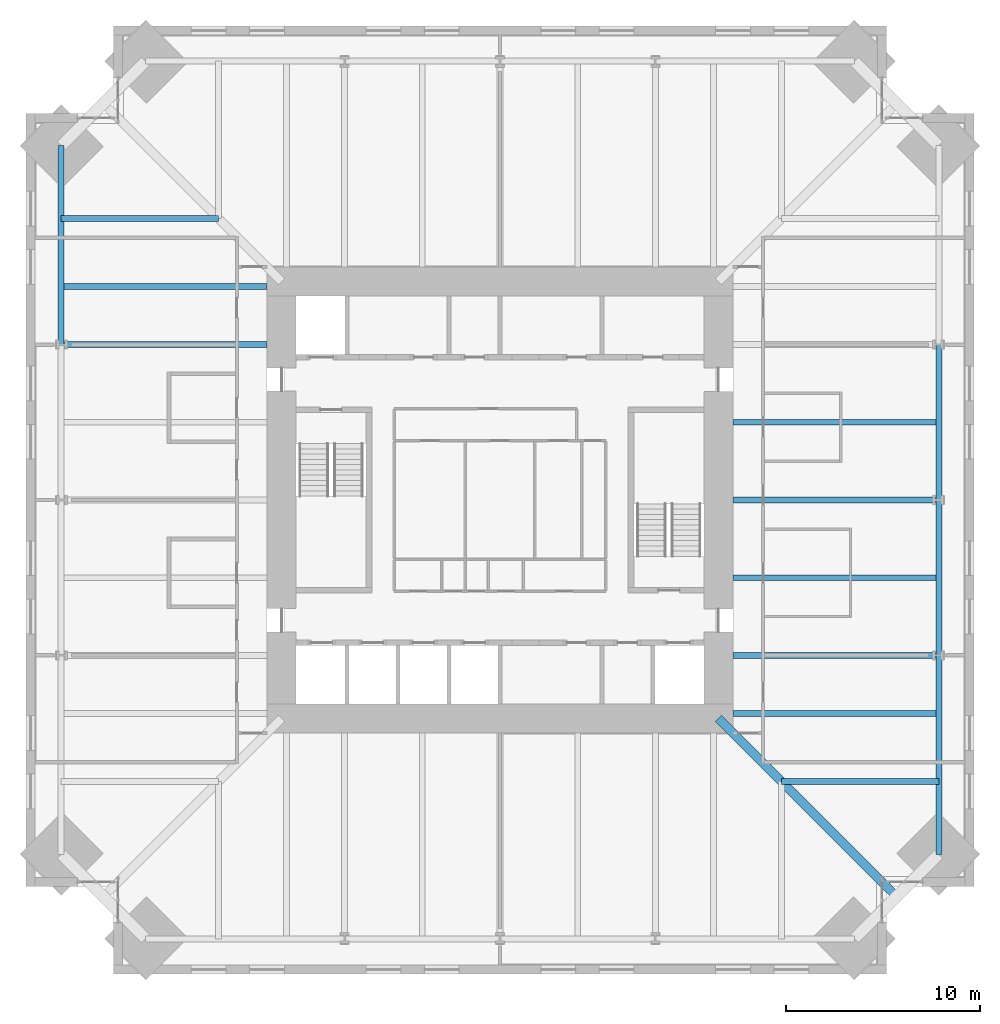
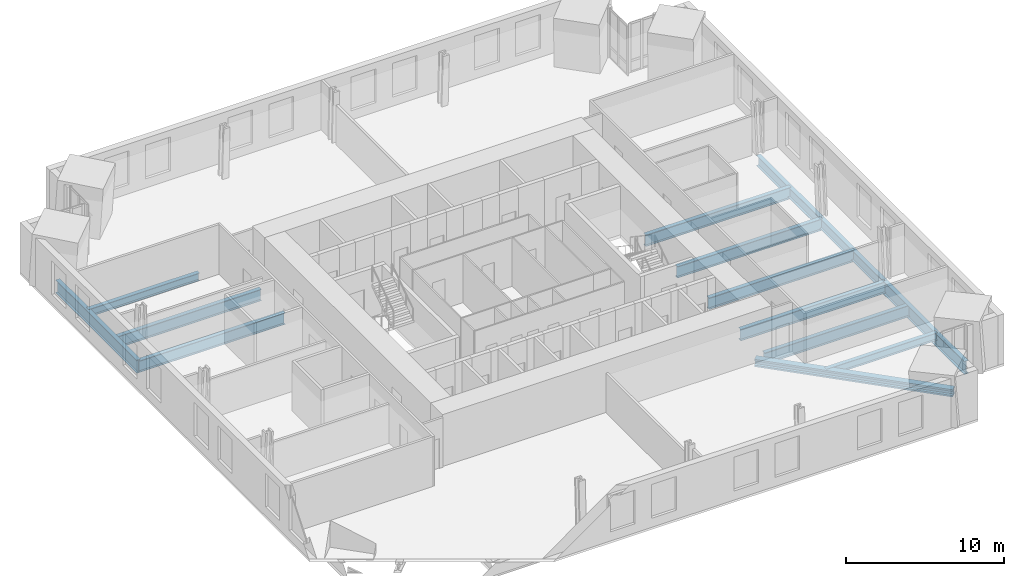
# One storey, part 5 of 15: 14 beams.
"""IFC4 building model written with IfcOpenShell, lengths in metres."""

from ifc_helpers import new_model, si_unit, direction, frame, origin, origin_2d, place, context, subcontext, project, spatial, i_section, extrude, material, material_profile, profile_set, type_object, element, save


model = new_model("IFC4")

# Units and contexts
model_context = context("Model", 3, precision=1e-05, world=origin(), true_north=direction((0.0, 1.0)))
body_context = subcontext(model_context, "Body", "Model", "MODEL_VIEW")
ifc_project = project(units=[si_unit("LENGTHUNIT", "METRE"), si_unit("AREAUNIT", "SQUARE_METRE"), si_unit("VOLUMEUNIT", "CUBIC_METRE"), si_unit("PLANEANGLEUNIT", "RADIAN"), si_unit("MASSUNIT", "GRAM", prefix="KILO")], contexts=[model_context])

# Site, building, storey
site_placement = place(None, origin())
site = spatial("IfcSite", under=ifc_project, at=site_placement, CompositionType="ELEMENT")
building_placement = place(site_placement, origin())
building = spatial("IfcBuilding", under=site, at=building_placement, Name="Peilmerk Tower", CompositionType="ELEMENT")
storey_placement = place(building_placement, frame((0.0, 0.0, 205.800048828125)))
storey = spatial("IfcBuildingStorey", under=building, at=storey_placement, Name="L44", CompositionType="ELEMENT", Elevation=205.800048828125)

# Beams
ifc_material_1 = material(Name="Steel S355", Category="steel")
ifc_material_profile_1 = material_profile(ifc_material_1, i_section(OverallWidth=0.302001953125, OverallDepth=1.008056640625, WebThickness=0.02099609375, FlangeThickness=0.0400390625, at=origin_2d()), Name="HEM 1000")
ifc_profile_set_1 = profile_set([ifc_material_profile_1], Name="Steel S355")
beam_type_1 = type_object("IfcBeamType", Name="B1 HEM 1000 edge beam", PredefinedType="SPANDREL", material=ifc_profile_set_1)
for number, where, z_axis, x_axis, name in (
    (1, (22.598388671875, -18.248291015625, -0.674072265625), (0.0, 1.0, 0.0), (-1.0, 0.0, 0.0), "Edge beam L44"),
    (2, (-22.598388671875, 18.248291015625, -0.674072265625), (0.0, -1.0, 0.0), (1.0, 0.0, 0.0), "Edge beam L44"),
):
    element("IfcBeam", number, at=place(storey_placement, frame(where, z_axis=z_axis, x_axis=x_axis)), inside=storey, type_object=beam_type_1, Name=name, PredefinedType="SPANDREL", context=body_context, shape_type="SweptSolid", body=[
        extrude(i_section(OverallWidth=0.302001953125, OverallDepth=1.008056640625, WebThickness=0.02099609375, FlangeThickness=0.0400390625, at=origin_2d()), origin(), (0.0, 0.0, 1.0), 10.248291015625),
    ])
ifc_material_profile_2 = material_profile(ifc_material_1, i_section(OverallWidth=0.302978515625, OverallDepth=0.81396484375, WebThickness=0.02099609375, FlangeThickness=0.0400390625, at=origin_2d()), Name="HEM 800")
ifc_profile_set_2 = profile_set([ifc_material_profile_2], Name="Steel S355")
beam_type_2 = type_object("IfcBeamType", Name="B15 HEM 800 edge beam", PredefinedType="SPANDREL", material=ifc_profile_set_2)
for number, where, z_axis, x_axis, name in (
    (3, (22.598388671875, -8.0, -0.5771484375), (0.0, 1.0, 0.0), (-1.0, 0.0, 0.0), "Edge beam L44"),
    (4, (22.598388671875, 0.0, -0.5771484375), (0.0, 1.0, 0.0), (-1.0, 0.0, 0.0), "Edge beam L44"),
):
    element("IfcBeam", number, at=place(storey_placement, frame(where, z_axis=z_axis, x_axis=x_axis)), inside=storey, type_object=beam_type_2, Name=name, PredefinedType="SPANDREL", context=body_context, shape_type="SweptSolid", body=[
        extrude(i_section(OverallWidth=0.302978515625, OverallDepth=0.81396484375, WebThickness=0.02099609375, FlangeThickness=0.0400390625, at=origin_2d()), origin(), (0.0, 0.0, 1.0), 8.0),
    ])
ifc_material_profile_3 = material_profile(ifc_material_1, i_section(OverallWidth=0.300048828125, OverallDepth=0.590087890625, WebThickness=0.012939453125, FlangeThickness=0.02490234375, at=origin_2d()), Name="HEA 600")
ifc_profile_set_3 = profile_set([ifc_material_profile_3], Name="Steel S355")
beam_type_3 = type_object("IfcBeamType", Name="B27 HEA 600 floor beam", PredefinedType="BEAM", material=ifc_profile_set_3)
for number, where, z_axis, x_axis, name in (
    (5, (14.5, -14.5, -0.465087890625), (1.0, 0.0, 0.0), (0.0, 1.0, 0.0), "Floor beam L44"),
    (6, (-14.5, 14.5, -0.465087890625), (-1.0, 0.0, 0.0), (0.0, -1.0, 0.0), "Floor beam L44"),
):
    element("IfcBeam", number, at=place(storey_placement, frame(where, z_axis=z_axis, x_axis=x_axis)), inside=storey, type_object=beam_type_3, Name=name, PredefinedType="BEAM", context=body_context, shape_type="SweptSolid", body=[
        extrude(i_section(OverallWidth=0.300048828125, OverallDepth=0.590087890625, WebThickness=0.012939453125, FlangeThickness=0.02490234375, at=origin_2d()), origin(), (0.0, 0.0, 1.0), 8.098388671875),
    ])
ifc_material_profile_4 = material_profile(ifc_material_1, i_section(OverallWidth=0.300048828125, OverallDepth=0.889892578125, WebThickness=0.01611328125, FlangeThickness=0.030029296875, at=origin_2d()), Name="HEA 900")
ifc_profile_set_4 = profile_set([ifc_material_profile_4], Name="Steel S355")
beam_type_4 = type_object("IfcBeamType", Name="B4 HEA 900 floor beam", PredefinedType="BEAM", material=ifc_profile_set_4)
for number, where, z_axis, x_axis, name in (
    (7, (12.0, -11.0, -0.614990234375), (1.0, 0.0, 0.0), (0.0, 1.0, 0.0), "Floor beam L44"),
    (8, (12.0, -8.0, -0.614990234375), (1.0, 0.0, 0.0), (0.0, 1.0, 0.0), "Floor beam L44"),
    (9, (12.0, -4.0, -0.614990234375), (1.0, 0.0, 0.0), (0.0, 1.0, 0.0), "Floor beam L44"),
    (10, (12.0, 0.0, -0.614990234375), (1.0, 0.0, 0.0), (0.0, 1.0, 0.0), "Floor beam L44"),
    (11, (12.0, 4.0, -0.614990234375), (1.0, 0.0, 0.0), (0.0, 1.0, 0.0), "Floor beam L44"),
    (12, (-12.0, 11.0, -0.614990234375), (-1.0, 0.0, 0.0), (0.0, -1.0, 0.0), "Floor beam L44"),
    (13, (-12.0, 8.0, -0.614990234375), (-1.0, 0.0, 0.0), (0.0, -1.0, 0.0), "Floor beam L44"),
):
    element("IfcBeam", number, at=place(storey_placement, frame(where, z_axis=z_axis, x_axis=x_axis)), inside=storey, type_object=beam_type_4, Name=name, PredefinedType="BEAM", context=body_context, shape_type="SweptSolid", body=[
        extrude(i_section(OverallWidth=0.300048828125, OverallDepth=0.889892578125, WebThickness=0.01611328125, FlangeThickness=0.030029296875, at=origin_2d()), origin(), (0.0, 0.0, 1.0), 10.598388671875),
    ])
ifc_material_2 = material(Name="Steel S460", Category="steel")
ifc_material_profile_5 = material_profile(ifc_material_2, i_section(OverallWidth=0.4541015625, OverallDepth=0.569091796875, WebThickness=0.077880859375, FlangeThickness=0.125, at=origin_2d()), Name="HD 400x1086")
ifc_profile_set_5 = profile_set([ifc_material_profile_5], Name="Steel S460")
beam_type_5 = type_object("IfcBeamType", Name="B9 HD 400x1086 corner girder", PredefinedType="BEAM", material=ifc_profile_set_5)
beam_placement = place(storey_placement, frame((11.25, -11.25, -0.45458984375), z_axis=(0.707106781187, -0.707106781187, 0.0), x_axis=(0.707106781187, 0.707106781187, 0.0)))
element("IfcBeam", 14, at=beam_placement, inside=storey, type_object=beam_type_5, Name="Corner girder L44", PredefinedType="BEAM", context=body_context, shape_type="SweptSolid", body=[
    extrude(i_section(OverallWidth=0.4541015625, OverallDepth=0.569091796875, WebThickness=0.077880859375, FlangeThickness=0.125, at=origin_2d()), origin(), (0.0, 0.0, 1.0), 12.97314453125),
])

save(model, "model.ifc")
